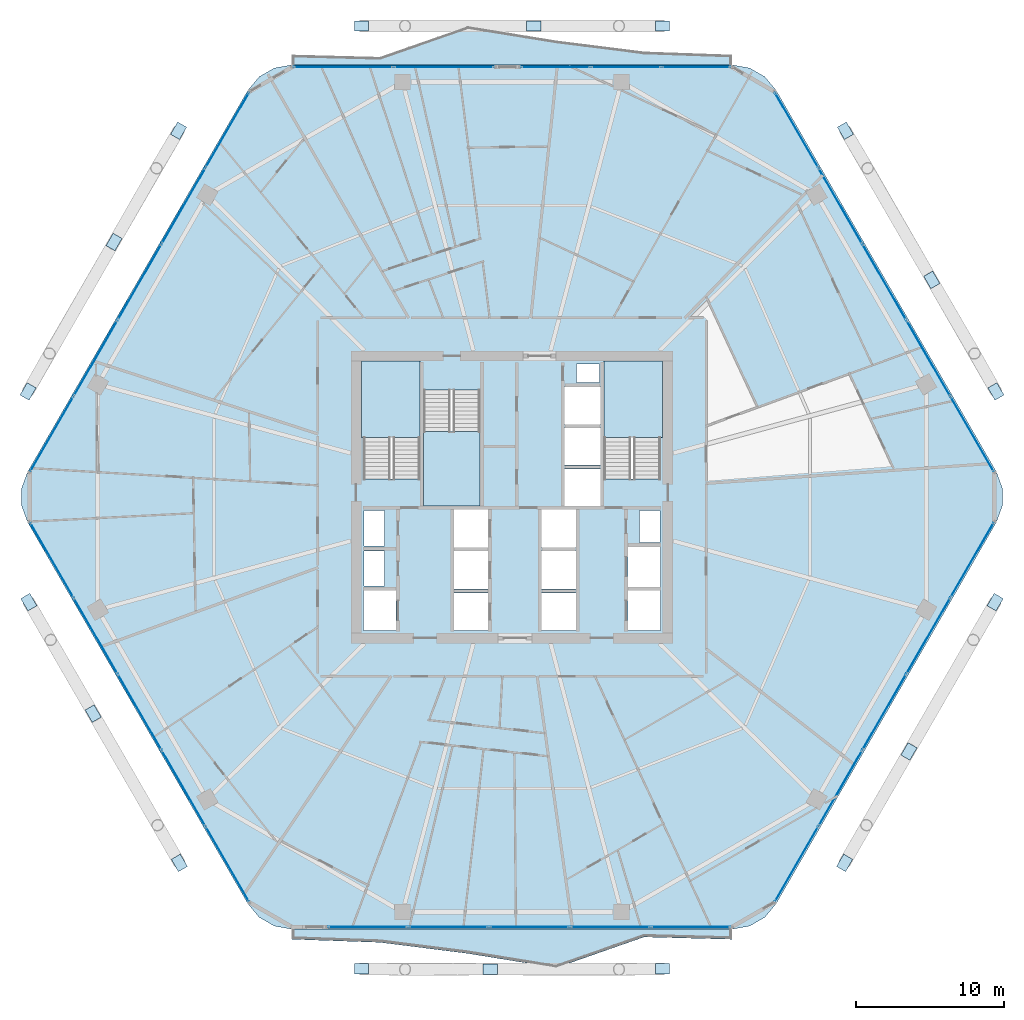
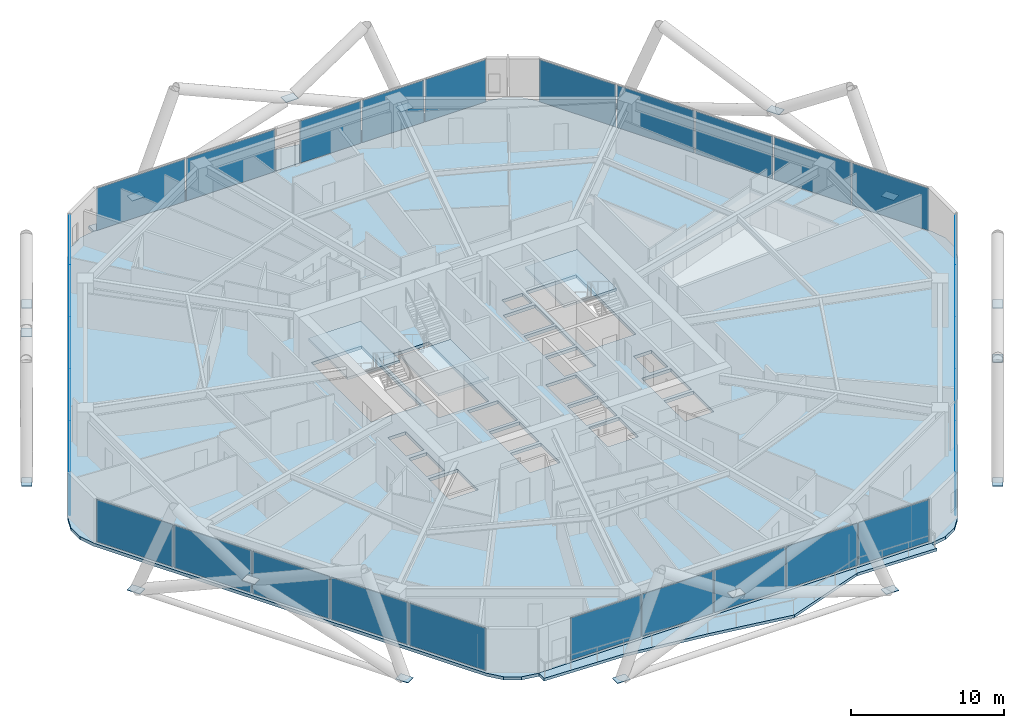
# One storey, part 26 of 35: 48 plates, 6 slabs, 10 elements without a shape of their own.
"""IFC4 building model written with IfcOpenShell, lengths in metres."""

from ifc_helpers import new_model, si_unit, direction, frame, origin, origin_2d, place, context, subcontext, project, spatial, polyline, rectangle, outline, extrude, material, layer, layer_set, type_object, element, aggregate, save


model = new_model("IFC4")

# Units and contexts
model_context = context("Model", 3, precision=1e-05, world=origin(), true_north=direction((0.0, 1.0)))
body_context = subcontext(model_context, "Body", "Model", "MODEL_VIEW")
ifc_project = project(units=[si_unit("LENGTHUNIT", "METRE"), si_unit("AREAUNIT", "SQUARE_METRE"), si_unit("VOLUMEUNIT", "CUBIC_METRE"), si_unit("PLANEANGLEUNIT", "RADIAN"), si_unit("MASSUNIT", "GRAM", prefix="KILO")], contexts=[model_context])

# Site, building, storey
site_placement = place(None, origin())
site = spatial("IfcSite", under=ifc_project, at=site_placement, CompositionType="ELEMENT")
building_placement = place(site_placement, origin())
building = spatial("IfcBuilding", under=site, at=building_placement, Name="Zuhravey Tower", CompositionType="ELEMENT")
storey_placement = place(building_placement, frame((0.0, 0.0, 92.39990234375)))
storey = spatial("IfcBuildingStorey", under=building, at=storey_placement, Name="L22", CompositionType="ELEMENT", Elevation=92.39990234375)

# Plates
ifc_material_1 = material(Name="Steel SM460", Category="steel")
ifc_layer_1 = layer(ifc_material_1, 0.0400390625)
ifc_layer_set_1 = layer_set([ifc_layer_1], Name="Steel SM460")
plate_type_1 = type_object("IfcPlateType", Name="Exoskeleton Zone 1 Node Plate ND1", PredefinedType="SHEET", material=ifc_layer_set_1)
for number, where, z_axis, x_axis, name in (
    (1, (68.58935546875, 39.110595703125, -0.48388671875), (0.0, 0.0, 1.0), (-0.5, 0.866025403784, 0.0), "L22 Exoskeleton Node Gusset L22-01"),
    (2, (58.45263671875, 56.66796875, -0.48388671875), (0.0, 0.0, 1.0), (-0.5, 0.866025403784, 0.0), "L22 Exoskeleton Node Gusset L22-02"),
    (3, (46.13671875, 63.718505859375, -0.48388671875), (0.0, 0.0, 1.0), (-1.0, 0.0, 0.0), "L22 Exoskeleton Node Gusset L22-03"),
    (4, (25.86328125, 63.718505859375, -0.48388671875), (0.0, 0.0, 1.0), (-1.0, 0.0, 0.0), "L22 Exoskeleton Node Gusset L22-04"),
    (5, (13.54736328125, 56.66796875, -0.48388671875), (0.0, 0.0, 1.0), (-0.5, -0.866025403784, 0.0), "L22 Exoskeleton Node Gusset L22-05"),
    (6, (3.41064453125, 39.110595703125, -0.48388671875), (0.0, 0.0, 1.0), (-0.5, -0.866025403784, 0.0), "L22 Exoskeleton Node Gusset L22-06"),
    (7, (3.462646484375, 24.91943359375, -0.48388671875), (0.0, 0.0, 1.0), (0.5, -0.866025403784, 0.0), "L22 Exoskeleton Node Gusset L22-07"),
    (8, (13.599365234375, 7.362060546875, -0.48388671875), (0.0, 0.0, 1.0), (0.5, -0.866025403784, 0.0), "L22 Exoskeleton Node Gusset L22-08"),
    (9, (25.86328125, 0.221435546875, -0.48388671875), (0.0, 0.0, 1.0), (1.0, 0.0, 0.0), "L22 Exoskeleton Node Gusset L22-09"),
    (10, (46.13671875, 0.221435546875, -0.48388671875), (0.0, 0.0, 1.0), (1.0, 0.0, 0.0), "L22 Exoskeleton Node Gusset L22-10"),
    (11, (58.400634765625, 7.362060546875, -0.48388671875), (0.0, 0.0, 1.0), (0.5, 0.866025403784, 0.0), "L22 Exoskeleton Node Gusset L22-11"),
    (12, (68.537353515625, 24.91943359375, -0.48388671875), (0.0, 0.0, 1.0), (0.5, 0.866025403784, 0.0), "L22 Exoskeleton Node Gusset L22-12"),
    (13, (64.26953125, 46.622314453125, 3.316162109375), (0.0, 0.0, 1.0), (-0.5, 0.866025403784, 0.0), "L22 Face 1 Diagrid X-Crossing Plate"),
    (14, (37.471435546875, 63.718505859375, 3.316162109375), (0.0, 0.0, 1.0), (-1.0, 0.0, 0.0), "L22 Face 2 Diagrid X-Crossing Plate"),
    (15, (9.201904296875, 49.171142578125, 3.316162109375), (0.0, 0.0, 1.0), (-0.5, -0.866025403784, 0.0), "L22 Face 3 Diagrid X-Crossing Plate"),
    (16, (7.79541015625, 17.4150390625, 3.316162109375), (0.0, 0.0, 1.0), (0.5, -0.866025403784, 0.0), "L22 Face 4 Diagrid X-Crossing Plate"),
    (17, (34.528564453125, 0.20654296875, 3.316162109375), (0.0, 0.0, 1.0), (1.0, 0.0, 0.0), "L22 Face 5 Diagrid X-Crossing Plate"),
    (18, (62.733154296875, 14.866455078125, 3.316162109375), (0.0, 0.0, 1.0), (0.5, 0.866025403784, 0.0), "L22 Face 6 Diagrid X-Crossing Plate"),
):
    element("IfcPlate", number, at=place(storey_placement, frame(where, z_axis=z_axis, x_axis=x_axis)), inside=storey, type_object=plate_type_1, Name=name, PredefinedType="SHEET", context=body_context, shape_type="SweptSolid", body=[
        extrude(rectangle(XDim=0.9599609375, YDim=0.699951171875, at=origin_2d()), origin(), (0.0, 0.0, 1.0), 0.0400390625),
    ])

# Slabs
ifc_material_2 = material(Name="Concrete C50/60", Category="concrete")
ifc_layer_2 = layer(ifc_material_2, 0.25)
ifc_layer_set_2 = layer_set([ifc_layer_2], Name="Concrete C50/60")
slab_type_1 = type_object("IfcSlabType", Name="Residential Acoustic Slab 250", PredefinedType="FLOOR", material=ifc_layer_set_2)
slab_1_placement = place(storey_placement, frame((0.0, 0.0, -0.25)))
element("IfcSlab", 19, at=slab_1_placement, inside=storey, type_object=slab_type_1, Name="L22 Floor Slab FS25", PredefinedType="FLOOR", context=body_context, shape_type="SweptSolid", body=[
    extrude(outline(polyline([(68.618408203125, 30.300048828125), (69.0224609375, 31.40966796875), (69.0224609375, 32.59033203125), (68.618408203125, 33.699951171875), (53.781494140625, 59.3984375), (53.0224609375, 60.302978515625), (52.0, 60.893310546875), (50.8369140625, 61.098388671875), (21.1630859375, 61.098388671875), (20.0, 60.893310546875), (18.9775390625, 60.302978515625), (18.218505859375, 59.3984375), (3.381591796875, 33.699951171875), (2.9775390625, 32.59033203125), (2.9775390625, 31.40966796875), (3.381591796875, 30.300048828125), (18.218505859375, 4.6015625), (18.9775390625, 3.697021484375), (20.0, 3.106689453125), (21.1630859375, 2.901611328125), (50.8369140625, 2.901611328125), (52.0, 3.106689453125), (53.0224609375, 3.697021484375), (53.781494140625, 4.6015625), (68.618408203125, 30.300048828125)]), holes=[polyline([(29.800048828125, 33.20068359375), (29.800048828125, 41.0), (26.0, 41.0), (26.0, 33.20068359375), (29.800048828125, 33.20068359375)]), polyline([(46.0, 33.20068359375), (46.0, 41.0), (42.199951171875, 41.0), (42.199951171875, 33.20068359375), (46.0, 33.20068359375)]), polyline([(30.050048828125, 39.199462890625), (30.050048828125, 31.39990234375), (33.85009765625, 31.39990234375), (33.85009765625, 39.199462890625), (30.050048828125, 39.199462890625)]), polyline([(32.10009765625, 23.0), (34.39990234375, 23.0), (34.39990234375, 25.550048828125), (32.10009765625, 25.550048828125), (32.10009765625, 23.0)]), polyline([(32.10009765625, 25.800048828125), (34.39990234375, 25.800048828125), (34.39990234375, 28.35009765625), (32.10009765625, 28.35009765625), (32.10009765625, 25.800048828125)]), polyline([(32.10009765625, 28.60009765625), (34.39990234375, 28.60009765625), (34.39990234375, 31.14990234375), (32.10009765625, 31.14990234375), (32.10009765625, 28.60009765625)]), polyline([(38.0, 23.0), (40.300048828125, 23.0), (40.300048828125, 25.550048828125), (38.0, 25.550048828125), (38.0, 23.0)]), polyline([(38.0, 25.800048828125), (40.300048828125, 25.800048828125), (40.300048828125, 28.35009765625), (38.0, 28.35009765625), (38.0, 25.800048828125)]), polyline([(38.0, 28.60009765625), (40.300048828125, 28.60009765625), (40.300048828125, 31.14990234375), (38.0, 31.14990234375), (38.0, 28.60009765625)]), polyline([(39.550048828125, 31.39990234375), (41.949951171875, 31.39990234375), (41.949951171875, 33.89990234375), (39.550048828125, 33.89990234375), (39.550048828125, 31.39990234375)]), polyline([(39.550048828125, 34.14990234375), (41.949951171875, 34.14990234375), (41.949951171875, 36.64990234375), (39.550048828125, 36.64990234375), (39.550048828125, 34.14990234375)]), polyline([(39.550048828125, 36.89990234375), (41.949951171875, 36.89990234375), (41.949951171875, 39.39990234375), (39.550048828125, 39.39990234375), (39.550048828125, 36.89990234375)]), polyline([(26.0, 23.0), (28.199951171875, 23.0), (28.199951171875, 25.699951171875), (26.0, 25.699951171875), (26.0, 23.0)]), polyline([(43.800048828125, 23.0), (46.0, 23.0), (46.0, 25.699951171875), (43.800048828125, 25.699951171875), (43.800048828125, 23.0)]), polyline([(43.800048828125, 25.949951171875), (46.0, 25.949951171875), (46.0, 28.64990234375), (43.800048828125, 28.64990234375), (43.800048828125, 25.949951171875)]), polyline([(26.050048828125, 26.0), (27.39990234375, 26.0), (27.39990234375, 28.35009765625), (26.050048828125, 28.35009765625), (26.050048828125, 26.0)]), polyline([(26.050048828125, 28.699951171875), (27.39990234375, 28.699951171875), (27.39990234375, 31.10009765625), (26.050048828125, 31.10009765625), (26.050048828125, 28.699951171875)]), polyline([(44.60009765625, 28.949951171875), (45.949951171875, 28.949951171875), (45.949951171875, 31.10009765625), (44.60009765625, 31.10009765625), (44.60009765625, 28.949951171875)]), polyline([(40.35009765625, 39.699951171875), (41.89990234375, 39.699951171875), (41.89990234375, 40.949951171875), (40.35009765625, 40.949951171875), (40.35009765625, 39.699951171875)])]), origin(), (0.0, 0.0, 1.0), 0.25),
])
ifc_material_3 = material(Name="Concrete C40/50", Category="concrete")
ifc_layer_3 = layer(ifc_material_3, 0.219970703125)
ifc_layer_set_3 = layer_set([ifc_layer_3], Name="Concrete C40/50")
slab_type_2 = type_object("IfcSlabType", Name="Sinusoidal Residential Wave Balcony 220", PredefinedType="FLOOR", material=ifc_layer_set_3)
slab_2_placement = place(storey_placement, frame((0.0, 0.0, -0.219970703125)))
element("IfcSlab", 20, at=slab_2_placement, inside=storey, type_object=slab_type_2, Name="L22 Face 5 Wave Balcony WB22", PredefinedType="FLOOR", context=body_context, shape_type="SweptSolid", body=[
    extrude(outline(polyline([(21.171630859375, 2.91650390625), (50.828369140625, 2.91650390625), (50.828369140625, 2.216552734375), (44.89697265625, 2.36962890625), (38.9658203125, 0.29736328125), (33.0341796875, 1.260009765625), (27.10302734375, 2.008056640625), (21.171630859375, 2.216552734375), (21.171630859375, 2.91650390625)])), origin(), (0.0, 0.0, 1.0), 0.219970703125),
])
slab_3_placement = place(storey_placement, frame((0.0, 0.0, -0.219970703125)))
element("IfcSlab", 21, at=slab_3_placement, inside=storey, type_object=slab_type_2, Name="L22 Face 2 Wave Balcony WB22", PredefinedType="FLOOR", context=body_context, shape_type="SweptSolid", body=[
    extrude(outline(polyline([(50.828369140625, 61.08349609375), (21.171630859375, 61.08349609375), (21.171630859375, 61.783447265625), (27.10302734375, 61.63037109375), (33.0341796875, 63.70263671875), (38.9658203125, 62.739990234375), (44.89697265625, 61.991943359375), (50.828369140625, 61.783447265625), (50.828369140625, 61.08349609375)])), origin(), (0.0, 0.0, 1.0), 0.219970703125),
])

# Stair, slab
stair_type = type_object("IfcStairType", Name="Housing Storey Stair Assembly 3800", PredefinedType="HALF_TURN_STAIR", material=ifc_material_3)
stair_1_placement = place(storey_placement, origin())
stair_1 = element("IfcStair", 22, at=stair_1_placement, inside=storey, type_object=stair_type, Name="L22 Core Exit Stair ST1", PredefinedType="HALF_TURN_STAIR")
ifc_layer_4 = layer(ifc_material_3, 0.199951171875)
ifc_layer_set_4 = layer_set([ifc_layer_4], Name="Concrete C40/50")
slab_type_3 = type_object("IfcSlabType", Name="Stair Landing Slab 200", PredefinedType="LANDING", material=ifc_layer_set_4)
slab_4_placement = place(storey_placement, frame((0.0, 0.0, 1.7001953125)))
slab_4 = element("IfcSlab", 23, at=slab_4_placement, type_object=slab_type_3, Name="ST1 landing 1", PredefinedType="LANDING", context=body_context, shape_type="SweptSolid", body=[
    extrude(outline(polyline([(29.800048828125, 36.0), (29.800048828125, 41.14794921875), (25.85205078125, 41.14794921875), (25.85205078125, 36.0), (29.800048828125, 36.0)])), origin(), (0.0, 0.0, 1.0), 0.199951171875),
])
aggregate(stair_1, [slab_4])

stair_2_placement = place(storey_placement, origin())
stair_2 = element("IfcStair", 24, at=stair_2_placement, inside=storey, type_object=stair_type, Name="L22 Core Exit Stair ST2", PredefinedType="HALF_TURN_STAIR")
slab_5_placement = place(storey_placement, frame((0.0, 0.0, 1.7001953125)))
slab_5 = element("IfcSlab", 25, at=slab_5_placement, type_object=slab_type_3, Name="ST2 landing 1", PredefinedType="LANDING", context=body_context, shape_type="SweptSolid", body=[
    extrude(outline(polyline([(46.14794921875, 36.0), (46.14794921875, 41.14794921875), (42.199951171875, 41.14794921875), (42.199951171875, 36.0), (46.14794921875, 36.0)])), origin(), (0.0, 0.0, 1.0), 0.199951171875),
])
aggregate(stair_2, [slab_5])

stair_3_placement = place(storey_placement, origin())
stair_3 = element("IfcStair", 26, at=stair_3_placement, inside=storey, type_object=stair_type, Name="L22 Core Exit Stair ST3", PredefinedType="HALF_TURN_STAIR")
slab_6_placement = place(storey_placement, frame((0.0, 0.0, 1.7001953125)))
slab_6 = element("IfcSlab", 27, at=slab_6_placement, type_object=slab_type_3, Name="ST3 landing 1", PredefinedType="LANDING", context=body_context, shape_type="SweptSolid", body=[
    extrude(outline(polyline([(30.050048828125, 36.39990234375), (30.050048828125, 31.39990234375), (33.85009765625, 31.39990234375), (33.85009765625, 36.39990234375), (30.050048828125, 36.39990234375)])), origin(), (0.0, 0.0, 1.0), 0.199951171875),
])
aggregate(stair_3, [slab_6])

# Curtain wall, plates
ifc_material_4 = material(Name="Thermally broken anodised aluminium", Category="aluminium")
curtain_wall_type = type_object("IfcCurtainWallType", Name="Zone 1-2 Residential Curtain Wall CW3", PredefinedType="NOTDEFINED", material=ifc_material_4)
curtain_wall_1_placement = place(storey_placement, origin())
curtain_wall_1 = element("IfcCurtainWall", 28, at=curtain_wall_1_placement, inside=storey, type_object=curtain_wall_type, Name="L22 CW3 CW-L22-F6-1", PredefinedType="NOTDEFINED")
ifc_material_5 = material(Name="Triple low-E insulated vision glass", Category="glass")
ifc_layer_5 = layer(ifc_material_5, 0.0419921875)
ifc_layer_set_5 = layer_set([ifc_layer_5], Name="Triple low-E insulated vision glass")
plate_type_2 = type_object("IfcPlateType", Name="Triple Low-E Vision Panel", PredefinedType="CURTAIN_PANEL", material=ifc_layer_set_5)
plate_1_placement = place(storey_placement, frame((66.9873046875, 27.754638671875, 0.090087890625), z_axis=(0.0, 0.0, 1.0), x_axis=(-0.499999794119, -0.86602552265, 0.0)))
plate_1 = element("IfcPlate", 29, at=plate_1_placement, type_object=plate_type_2, Name="CW3 panel 1.1", PredefinedType="CURTAIN_PANEL", context=body_context, shape_type="SweptSolid", body=[
    extrude(rectangle(XDim=5.784912109375, YDim=0.0419921875, at=origin_2d()), origin(), (0.0, 0.0, 1.0), 3.3701171875),
])
plate_2_placement = place(storey_placement, frame((64.03857421875, 22.6474609375, 0.090087890625), z_axis=(0.0, 0.0, 1.0), x_axis=(-0.499999794119, -0.86602552265, 0.0)))
plate_2 = element("IfcPlate", 30, at=plate_2_placement, type_object=plate_type_2, Name="CW3 panel 2.1", PredefinedType="CURTAIN_PANEL", context=body_context, shape_type="SweptSolid", body=[
    extrude(rectangle(XDim=5.829833984375, YDim=0.0419921875, at=origin_2d()), origin(), (0.0, 0.0, 1.0), 3.3701171875),
])
plate_3_placement = place(storey_placement, frame((61.078857421875, 17.520751953125, 0.090087890625), z_axis=(0.0, 0.0, 1.0), x_axis=(-0.499999794119, -0.86602552265, 0.0)))
plate_3 = element("IfcPlate", 31, at=plate_3_placement, type_object=plate_type_2, Name="CW3 panel 3.1", PredefinedType="CURTAIN_PANEL", context=body_context, shape_type="SweptSolid", body=[
    extrude(rectangle(XDim=5.829833984375, YDim=0.0419921875, at=origin_2d()), origin(), (0.0, 0.0, 1.0), 3.3701171875),
])
plate_4_placement = place(storey_placement, frame((58.118896484375, 12.39404296875, 0.090087890625), z_axis=(0.0, 0.0, 1.0), x_axis=(-0.499999794119, -0.86602552265, 0.0)))
plate_4 = element("IfcPlate", 32, at=plate_4_placement, type_object=plate_type_2, Name="CW3 panel 4.1", PredefinedType="CURTAIN_PANEL", context=body_context, shape_type="SweptSolid", body=[
    extrude(rectangle(XDim=5.829833984375, YDim=0.0419921875, at=origin_2d()), origin(), (0.0, 0.0, 1.0), 3.3701171875),
])
plate_5_placement = place(storey_placement, frame((55.170166015625, 7.286865234375, 0.090087890625), z_axis=(0.0, 0.0, 1.0), x_axis=(-0.499999794119, -0.86602552265, 0.0)))
plate_5 = element("IfcPlate", 33, at=plate_5_placement, type_object=plate_type_2, Name="CW3 panel 5.1", PredefinedType="CURTAIN_PANEL", context=body_context, shape_type="SweptSolid", body=[
    extrude(rectangle(XDim=5.784912109375, YDim=0.0419921875, at=origin_2d()), origin(), (0.0, 0.0, 1.0), 3.3701171875),
])
aggregate(curtain_wall_1, [plate_1, plate_2, plate_3, plate_4, plate_5])

curtain_wall_2_placement = place(storey_placement, origin())
curtain_wall_2 = element("IfcCurtainWall", 34, at=curtain_wall_2_placement, inside=storey, type_object=curtain_wall_type, Name="L22 CW3 CW-L22-F5-1", PredefinedType="NOTDEFINED")
plate_6_placement = place(storey_placement, frame((48.052001953125, 3.04150390625, 0.090087890625), z_axis=(0.0, 0.0, 1.0), x_axis=(-1.0, 0.0, 0.0)))
plate_6 = element("IfcPlate", 35, at=plate_6_placement, type_object=plate_type_2, Name="CW3 panel 1.1", PredefinedType="CURTAIN_PANEL", context=body_context, shape_type="SweptSolid", body=[
    extrude(rectangle(XDim=5.314697265625, YDim=0.0419921875, at=origin_2d()), origin(), (0.0, 0.0, 1.0), 3.3701171875),
])
plate_7_placement = place(storey_placement, frame((42.624755859375, 3.04150390625, 0.090087890625), z_axis=(0.0, 0.0, 1.0), x_axis=(-1.0, 0.0, 0.0)))
plate_7 = element("IfcPlate", 36, at=plate_7_placement, type_object=plate_type_2, Name="CW3 panel 2.1", PredefinedType="CURTAIN_PANEL", context=body_context, shape_type="SweptSolid", body=[
    extrude(rectangle(XDim=5.35986328125, YDim=0.0419921875, at=origin_2d()), origin(), (0.0, 0.0, 1.0), 3.3701171875),
])
plate_8_placement = place(storey_placement, frame((37.175048828125, 3.04150390625, 0.090087890625), z_axis=(0.0, 0.0, 1.0), x_axis=(-1.0, 0.0, 0.0)))
plate_8 = element("IfcPlate", 37, at=plate_8_placement, type_object=plate_type_2, Name="CW3 panel 3.1", PredefinedType="CURTAIN_PANEL", context=body_context, shape_type="SweptSolid", body=[
    extrude(rectangle(XDim=5.35986328125, YDim=0.0419921875, at=origin_2d()), origin(), (0.0, 0.0, 1.0), 3.3701171875),
])
plate_9_placement = place(storey_placement, frame((31.72509765625, 3.04150390625, 0.090087890625), z_axis=(0.0, 0.0, 1.0), x_axis=(-1.0, 0.0, 0.0)))
plate_9 = element("IfcPlate", 38, at=plate_9_placement, type_object=plate_type_2, Name="CW3 panel 4.1", PredefinedType="CURTAIN_PANEL", context=body_context, shape_type="SweptSolid", body=[
    extrude(rectangle(XDim=5.35986328125, YDim=0.0419921875, at=origin_2d()), origin(), (0.0, 0.0, 1.0), 3.3701171875),
])
plate_10_placement = place(storey_placement, frame((26.2978515625, 3.04150390625, 0.090087890625), z_axis=(0.0, 0.0, 1.0), x_axis=(-1.0, 0.0, 0.0)))
plate_10 = element("IfcPlate", 39, at=plate_10_placement, type_object=plate_type_2, Name="CW3 panel 5.1", PredefinedType="CURTAIN_PANEL", context=body_context, shape_type="SweptSolid", body=[
    extrude(rectangle(XDim=5.314697265625, YDim=0.0419921875, at=origin_2d()), origin(), (0.0, 0.0, 1.0), 3.3701171875),
])
aggregate(curtain_wall_2, [plate_6, plate_7, plate_8, plate_9, plate_10])

curtain_wall_3_placement = place(storey_placement, origin())
curtain_wall_3 = element("IfcCurtainWall", 40, at=curtain_wall_3_placement, inside=storey, type_object=curtain_wall_type, Name="L22 CW3 CW-L22-F4-1", PredefinedType="NOTDEFINED")
plate_11_placement = place(storey_placement, frame((16.829833984375, 7.286865234375, 0.090087890625), z_axis=(0.0, 0.0, 1.0), x_axis=(-0.499999794119, 0.86602552265, 0.0)))
plate_11 = element("IfcPlate", 41, at=plate_11_placement, type_object=plate_type_2, Name="CW3 panel 1.1", PredefinedType="CURTAIN_PANEL", context=body_context, shape_type="SweptSolid", body=[
    extrude(rectangle(XDim=5.784912109375, YDim=0.0419921875, at=origin_2d()), origin(), (0.0, 0.0, 1.0), 3.3701171875),
])
plate_12_placement = place(storey_placement, frame((13.881103515625, 12.39404296875, 0.090087890625), z_axis=(0.0, 0.0, 1.0), x_axis=(-0.499999794119, 0.86602552265, 0.0)))
plate_12 = element("IfcPlate", 42, at=plate_12_placement, type_object=plate_type_2, Name="CW3 panel 2.1", PredefinedType="CURTAIN_PANEL", context=body_context, shape_type="SweptSolid", body=[
    extrude(rectangle(XDim=5.829833984375, YDim=0.0419921875, at=origin_2d()), origin(), (0.0, 0.0, 1.0), 3.3701171875),
])
plate_13_placement = place(storey_placement, frame((10.921142578125, 17.520751953125, 0.090087890625), z_axis=(0.0, 0.0, 1.0), x_axis=(-0.499999794119, 0.86602552265, 0.0)))
plate_13 = element("IfcPlate", 43, at=plate_13_placement, type_object=plate_type_2, Name="CW3 panel 3.1", PredefinedType="CURTAIN_PANEL", context=body_context, shape_type="SweptSolid", body=[
    extrude(rectangle(XDim=5.829833984375, YDim=0.0419921875, at=origin_2d()), origin(), (0.0, 0.0, 1.0), 3.3701171875),
])
plate_14_placement = place(storey_placement, frame((7.96142578125, 22.6474609375, 0.090087890625), z_axis=(0.0, 0.0, 1.0), x_axis=(-0.499999794119, 0.86602552265, 0.0)))
plate_14 = element("IfcPlate", 44, at=plate_14_placement, type_object=plate_type_2, Name="CW3 panel 4.1", PredefinedType="CURTAIN_PANEL", context=body_context, shape_type="SweptSolid", body=[
    extrude(rectangle(XDim=5.829833984375, YDim=0.0419921875, at=origin_2d()), origin(), (0.0, 0.0, 1.0), 3.3701171875),
])
plate_15_placement = place(storey_placement, frame((5.0126953125, 27.754638671875, 0.090087890625), z_axis=(0.0, 0.0, 1.0), x_axis=(-0.499999794119, 0.86602552265, 0.0)))
plate_15 = element("IfcPlate", 45, at=plate_15_placement, type_object=plate_type_2, Name="CW3 panel 5.1", PredefinedType="CURTAIN_PANEL", context=body_context, shape_type="SweptSolid", body=[
    extrude(rectangle(XDim=5.784912109375, YDim=0.0419921875, at=origin_2d()), origin(), (0.0, 0.0, 1.0), 3.3701171875),
])
aggregate(curtain_wall_3, [plate_11, plate_12, plate_13, plate_14, plate_15])

curtain_wall_4_placement = place(storey_placement, origin())
curtain_wall_4 = element("IfcCurtainWall", 46, at=curtain_wall_4_placement, inside=storey, type_object=curtain_wall_type, Name="L22 CW3 CW-L22-F3-1", PredefinedType="NOTDEFINED")
plate_16_placement = place(storey_placement, frame((5.0126953125, 36.245361328125, 0.090087890625), z_axis=(0.0, 0.0, 1.0), x_axis=(0.499999794119, 0.86602552265, 0.0)))
plate_16 = element("IfcPlate", 47, at=plate_16_placement, type_object=plate_type_2, Name="CW3 panel 1.1", PredefinedType="CURTAIN_PANEL", context=body_context, shape_type="SweptSolid", body=[
    extrude(rectangle(XDim=5.784912109375, YDim=0.0419921875, at=origin_2d()), origin(), (0.0, 0.0, 1.0), 3.3701171875),
])
plate_17_placement = place(storey_placement, frame((7.96142578125, 41.3525390625, 0.090087890625), z_axis=(0.0, 0.0, 1.0), x_axis=(0.499999794119, 0.86602552265, 0.0)))
plate_17 = element("IfcPlate", 48, at=plate_17_placement, type_object=plate_type_2, Name="CW3 panel 2.1", PredefinedType="CURTAIN_PANEL", context=body_context, shape_type="SweptSolid", body=[
    extrude(rectangle(XDim=5.829833984375, YDim=0.0419921875, at=origin_2d()), origin(), (0.0, 0.0, 1.0), 3.3701171875),
])
plate_18_placement = place(storey_placement, frame((10.921142578125, 46.479248046875, 0.090087890625), z_axis=(0.0, 0.0, 1.0), x_axis=(0.499999794119, 0.86602552265, 0.0)))
plate_18 = element("IfcPlate", 49, at=plate_18_placement, type_object=plate_type_2, Name="CW3 panel 3.1", PredefinedType="CURTAIN_PANEL", context=body_context, shape_type="SweptSolid", body=[
    extrude(rectangle(XDim=5.829833984375, YDim=0.0419921875, at=origin_2d()), origin(), (0.0, 0.0, 1.0), 3.3701171875),
])
plate_19_placement = place(storey_placement, frame((13.881103515625, 51.60595703125, 0.090087890625), z_axis=(0.0, 0.0, 1.0), x_axis=(0.499999794119, 0.86602552265, 0.0)))
plate_19 = element("IfcPlate", 50, at=plate_19_placement, type_object=plate_type_2, Name="CW3 panel 4.1", PredefinedType="CURTAIN_PANEL", context=body_context, shape_type="SweptSolid", body=[
    extrude(rectangle(XDim=5.829833984375, YDim=0.0419921875, at=origin_2d()), origin(), (0.0, 0.0, 1.0), 3.3701171875),
])
plate_20_placement = place(storey_placement, frame((16.829833984375, 56.713134765625, 0.090087890625), z_axis=(0.0, 0.0, 1.0), x_axis=(0.499999794119, 0.86602552265, 0.0)))
plate_20 = element("IfcPlate", 51, at=plate_20_placement, type_object=plate_type_2, Name="CW3 panel 5.1", PredefinedType="CURTAIN_PANEL", context=body_context, shape_type="SweptSolid", body=[
    extrude(rectangle(XDim=5.784912109375, YDim=0.0419921875, at=origin_2d()), origin(), (0.0, 0.0, 1.0), 3.3701171875),
])
aggregate(curtain_wall_4, [plate_16, plate_17, plate_18, plate_19, plate_20])

curtain_wall_5_placement = place(storey_placement, origin())
curtain_wall_5 = element("IfcCurtainWall", 52, at=curtain_wall_5_placement, inside=storey, type_object=curtain_wall_type, Name="L22 CW3 CW-L22-F2-1", PredefinedType="NOTDEFINED")
plate_21_placement = place(storey_placement, frame((24.635009765625, 60.95849609375, 0.090087890625), z_axis=(0.0, 0.0, 1.0), x_axis=(1.0, 0.0, 0.0)))
plate_21 = element("IfcPlate", 53, at=plate_21_placement, type_object=plate_type_2, Name="CW3 panel 1.1", PredefinedType="CURTAIN_PANEL", context=body_context, shape_type="SweptSolid", body=[
    extrude(rectangle(XDim=6.68896484375, YDim=0.0419921875, at=origin_2d()), origin(), (0.0, 0.0, 1.0), 3.3701171875),
])
plate_22_placement = place(storey_placement, frame((31.413818359375, 60.95849609375, 0.090087890625), z_axis=(0.0, 0.0, 1.0), x_axis=(1.0, 0.0, 0.0)))
plate_22 = element("IfcPlate", 54, at=plate_22_placement, type_object=plate_type_2, Name="CW3 panel 2.1", PredefinedType="CURTAIN_PANEL", context=body_context, shape_type="SweptSolid", body=[
    extrude(rectangle(XDim=6.68896484375, YDim=0.0419921875, at=origin_2d()), origin(), (0.0, 0.0, 1.0), 3.3701171875),
])
aggregate(curtain_wall_5, [plate_21, plate_22])

curtain_wall_6_placement = place(storey_placement, origin())
curtain_wall_6 = element("IfcCurtainWall", 55, at=curtain_wall_6_placement, inside=storey, type_object=curtain_wall_type, Name="L22 CW3 CW-L22-F2-2", PredefinedType="NOTDEFINED")
plate_23_placement = place(storey_placement, frame((38.946044921875, 60.95849609375, 0.090087890625), z_axis=(0.0, 0.0, 1.0), x_axis=(1.0, 0.0, 0.0)))
plate_23 = element("IfcPlate", 56, at=plate_23_placement, type_object=plate_type_2, Name="CW3 panel 1.1", PredefinedType="CURTAIN_PANEL", context=body_context, shape_type="SweptSolid", body=[
    extrude(rectangle(XDim=4.615478515625, YDim=0.0419921875, at=origin_2d()), origin(), (0.0, 0.0, 1.0), 3.3701171875),
])
plate_24_placement = place(storey_placement, frame((43.673828125, 60.95849609375, 0.090087890625), z_axis=(0.0, 0.0, 1.0), x_axis=(1.0, 0.0, 0.0)))
plate_24 = element("IfcPlate", 57, at=plate_24_placement, type_object=plate_type_2, Name="CW3 panel 2.1", PredefinedType="CURTAIN_PANEL", context=body_context, shape_type="SweptSolid", body=[
    extrude(rectangle(XDim=4.660400390625, YDim=0.0419921875, at=origin_2d()), origin(), (0.0, 0.0, 1.0), 3.3701171875),
])
plate_25_placement = place(storey_placement, frame((48.40185546875, 60.95849609375, 0.090087890625), z_axis=(0.0, 0.0, 1.0), x_axis=(1.0, 0.0, 0.0)))
plate_25 = element("IfcPlate", 58, at=plate_25_placement, type_object=plate_type_2, Name="CW3 panel 3.1", PredefinedType="CURTAIN_PANEL", context=body_context, shape_type="SweptSolid", body=[
    extrude(rectangle(XDim=4.615478515625, YDim=0.0419921875, at=origin_2d()), origin(), (0.0, 0.0, 1.0), 3.3701171875),
])
aggregate(curtain_wall_6, [plate_23, plate_24, plate_25])

curtain_wall_7_placement = place(storey_placement, origin())
curtain_wall_7 = element("IfcCurtainWall", 59, at=curtain_wall_7_placement, inside=storey, type_object=curtain_wall_type, Name="L22 CW3 CW-L22-F1-1", PredefinedType="NOTDEFINED")
plate_26_placement = place(storey_placement, frame((55.170166015625, 56.713134765625, 0.090087890625), z_axis=(0.0, 0.0, 1.0), x_axis=(0.499999794119, -0.86602552265, 0.0)))
plate_26 = element("IfcPlate", 60, at=plate_26_placement, type_object=plate_type_2, Name="CW3 panel 1.1", PredefinedType="CURTAIN_PANEL", context=body_context, shape_type="SweptSolid", body=[
    extrude(rectangle(XDim=5.784912109375, YDim=0.0419921875, at=origin_2d()), origin(), (0.0, 0.0, 1.0), 3.3701171875),
])
plate_27_placement = place(storey_placement, frame((58.118896484375, 51.60595703125, 0.090087890625), z_axis=(0.0, 0.0, 1.0), x_axis=(0.499999794119, -0.86602552265, 0.0)))
plate_27 = element("IfcPlate", 61, at=plate_27_placement, type_object=plate_type_2, Name="CW3 panel 2.1", PredefinedType="CURTAIN_PANEL", context=body_context, shape_type="SweptSolid", body=[
    extrude(rectangle(XDim=5.829833984375, YDim=0.0419921875, at=origin_2d()), origin(), (0.0, 0.0, 1.0), 3.3701171875),
])
plate_28_placement = place(storey_placement, frame((61.078857421875, 46.479248046875, 0.090087890625), z_axis=(0.0, 0.0, 1.0), x_axis=(0.499999794119, -0.86602552265, 0.0)))
plate_28 = element("IfcPlate", 62, at=plate_28_placement, type_object=plate_type_2, Name="CW3 panel 3.1", PredefinedType="CURTAIN_PANEL", context=body_context, shape_type="SweptSolid", body=[
    extrude(rectangle(XDim=5.829833984375, YDim=0.0419921875, at=origin_2d()), origin(), (0.0, 0.0, 1.0), 3.3701171875),
])
plate_29_placement = place(storey_placement, frame((64.03857421875, 41.3525390625, 0.090087890625), z_axis=(0.0, 0.0, 1.0), x_axis=(0.499999794119, -0.86602552265, 0.0)))
plate_29 = element("IfcPlate", 63, at=plate_29_placement, type_object=plate_type_2, Name="CW3 panel 4.1", PredefinedType="CURTAIN_PANEL", context=body_context, shape_type="SweptSolid", body=[
    extrude(rectangle(XDim=5.829833984375, YDim=0.0419921875, at=origin_2d()), origin(), (0.0, 0.0, 1.0), 3.3701171875),
])
plate_30_placement = place(storey_placement, frame((66.9873046875, 36.245361328125, 0.090087890625), z_axis=(0.0, 0.0, 1.0), x_axis=(0.499999794119, -0.86602552265, 0.0)))
plate_30 = element("IfcPlate", 64, at=plate_30_placement, type_object=plate_type_2, Name="CW3 panel 5.1", PredefinedType="CURTAIN_PANEL", context=body_context, shape_type="SweptSolid", body=[
    extrude(rectangle(XDim=5.784912109375, YDim=0.0419921875, at=origin_2d()), origin(), (0.0, 0.0, 1.0), 3.3701171875),
])
aggregate(curtain_wall_7, [plate_26, plate_27, plate_28, plate_29, plate_30])

save(model, "model.ifc")
